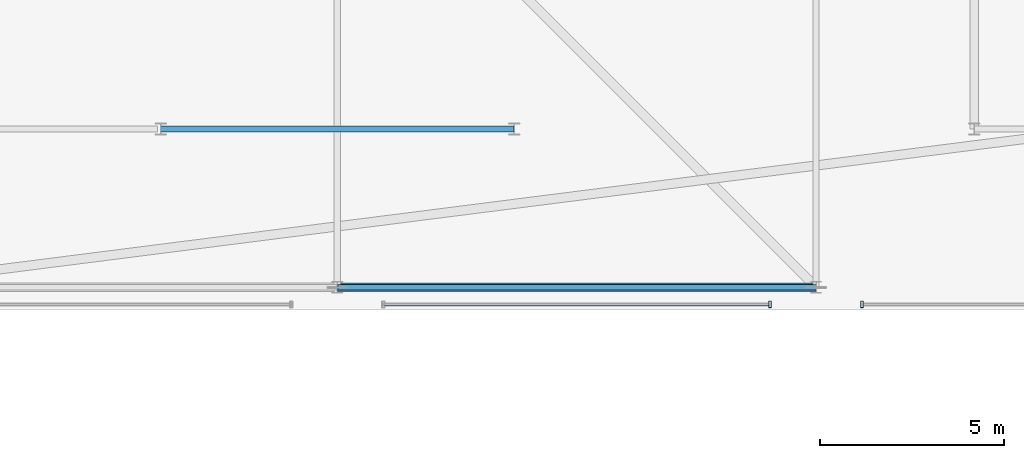
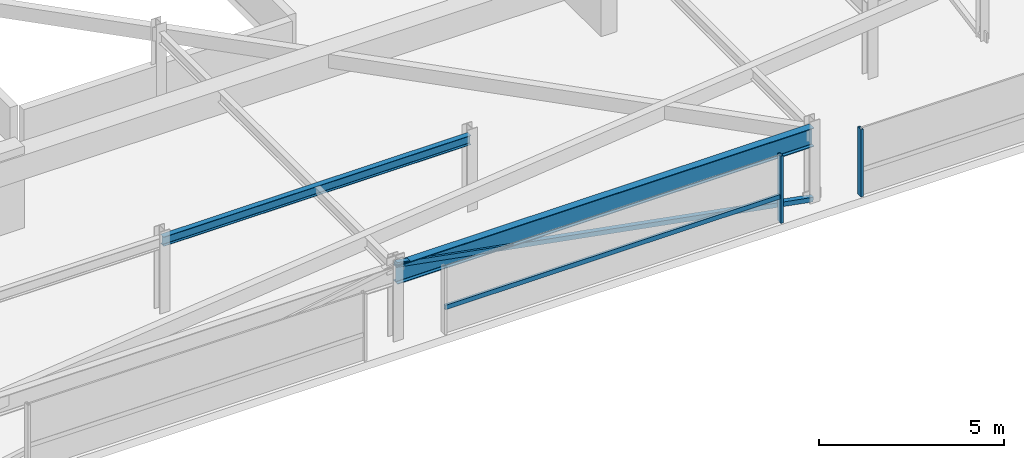
# One storey, part 31 of 44: 4 members, 2 beams, 2 elements without a shape of their own.
"""IFC4 building model written with IfcOpenShell, lengths in metres."""

from ifc_helpers import new_model, si_unit, direction, frame, origin, origin_2d, place, context, subcontext, project, spatial, hollow_rectangle, i_section, extrude, material, material_profile, profile_set, type_object, element, aggregate, save


model = new_model("IFC4")

# Units and contexts
model_context = context("Model", 3, precision=1e-05, world=origin(), true_north=direction((0.0, 1.0)))
body_context = subcontext(model_context, "Body", "Model", "MODEL_VIEW")
ifc_project = project(units=[si_unit("LENGTHUNIT", "METRE"), si_unit("AREAUNIT", "SQUARE_METRE"), si_unit("VOLUMEUNIT", "CUBIC_METRE"), si_unit("PLANEANGLEUNIT", "RADIAN"), si_unit("MASSUNIT", "GRAM", prefix="KILO")], contexts=[model_context])

# Site, building, storey
site_placement = place(None, origin())
site = spatial("IfcSite", under=ifc_project, at=site_placement, CompositionType="ELEMENT")
building_placement = place(site_placement, origin())
building = spatial("IfcBuilding", under=site, at=building_placement, Name="Thornwick Lancets Civic Towers", CompositionType="ELEMENT")
storey_placement = place(building_placement, frame((0.0, 0.0, 294.89990234375)))
storey = spatial("IfcBuildingStorey", under=building, at=storey_placement, Name="C06", CompositionType="ELEMENT", Elevation=294.89990234375)

# Beams
ifc_material_1 = material(Name="Steel S355JR", Category="steel")
ifc_material_profile_1 = material_profile(ifc_material_1, i_section(OverallWidth=0.230224609375, OverallDepth=0.6171875, WebThickness=0.01318359375, FlangeThickness=0.022216796875, FilletRadius=0.0126953125, at=origin_2d()), Name="UKB 610x229x140")
ifc_profile_set_1 = profile_set([ifc_material_profile_1], Name="Steel S355JR")
beam_type_1 = type_object("IfcBeamType", Name="BM_GIRD_610_140", PredefinedType="BEAM", material=ifc_profile_set_1)
beam_1_placement = place(storey_placement, frame((101.5, 9.699951171875, 2.131591796875), z_axis=(-1.0, 0.0, 0.0), x_axis=(0.0, -1.0, 0.0)))
element("IfcBeam", 1, at=beam_1_placement, inside=storey, type_object=beam_type_1, Name="BM-SPINE-C06-B-9-10", PredefinedType="BEAM", context=body_context, shape_type="SweptSolid", body=[
    extrude(i_section(OverallWidth=0.230224609375, OverallDepth=0.6171875, WebThickness=0.01318359375, FlangeThickness=0.022216796875, FilletRadius=0.0126953125, at=origin_2d()), origin(), (0.0, 0.0, 1.0), 13.0),
])
ifc_material_profile_2 = material_profile(ifc_material_1, i_section(OverallWidth=0.1669921875, OverallDepth=0.310302734375, WebThickness=0.0078125, FlangeThickness=0.013671875, FilletRadius=0.0087890625, at=origin_2d()), Name="UKB 305x165x54")
ifc_profile_set_2 = profile_set([ifc_material_profile_2], Name="Steel S355JR")
beam_type_2 = type_object("IfcBeamType", Name="BM_LINTEL_305_54", PredefinedType="LINTEL", material=ifc_profile_set_2)
beam_2_placement = place(storey_placement, frame((93.300048828125, 14.0, 2.284912109375), z_axis=(-1.0, 0.0, 0.0), x_axis=(0.0, -1.0, 0.0)))
element("IfcBeam", 2, at=beam_2_placement, inside=storey, type_object=beam_type_2, Name="BM-INSP-C06-B-0-2", PredefinedType="LINTEL", context=body_context, shape_type="SweptSolid", body=[
    extrude(i_section(OverallWidth=0.1669921875, OverallDepth=0.310302734375, WebThickness=0.0078125, FlangeThickness=0.013671875, FilletRadius=0.0087890625, at=origin_2d()), origin(), (0.0, 0.0, 1.0), 9.60009765625),
])

# Curtain wall, member
ifc_material_2 = material(Name="Crown ring acoustic-louvre and glazing screen wall", Category="glass")
curtain_wall_type = type_object("IfcCurtainWallType", Name="CW_SYS_07", PredefinedType="NOTDEFINED", material=ifc_material_2)
curtain_wall_1_placement = place(storey_placement, origin())
curtain_wall_1 = element("IfcCurtainWall", 3, at=curtain_wall_1_placement, inside=storey, type_object=curtain_wall_type, Name="C06 Curtain Wall CW-C06-B-E0-S2", PredefinedType="NOTDEFINED")
ifc_material_3 = material(Name="Thermally broken bronze aluminium S355", Category="steel")
ifc_material_profile_3 = material_profile(ifc_material_3, hollow_rectangle(XDim=0.074951171875, YDim=0.179931640625, WallThickness=0.006103515625, at=origin_2d()), Name="RHS 180x75x6")
ifc_profile_set_3 = profile_set([ifc_material_profile_3], Name="Thermally broken bronze aluminium S355")
member_type_1 = type_object("IfcMemberType", Name="CW_MUL_180", PredefinedType="MULLION", material=ifc_profile_set_3)
member_1_placement = place(storey_placement, frame((100.25, 9.2353515625, 0.0), z_axis=(0.0, 0.0, 1.0), x_axis=(1.0, 0.0, 0.0)))
member_1 = element("IfcMember", 4, at=member_1_placement, type_object=member_type_1, Name="CW-C06-B-E0-S2 Mullion 1", PredefinedType="MULLION", context=body_context, shape_type="SweptSolid", body=[
    extrude(hollow_rectangle(XDim=0.074951171875, YDim=0.179931640625, WallThickness=0.006103515625, at=origin_2d()), origin(), (0.0, 0.0, 1.0), 2.22021484375),
])

curtain_wall_2_placement = place(storey_placement, origin())
curtain_wall_2 = element("IfcCurtainWall", 5, at=curtain_wall_2_placement, inside=storey, type_object=curtain_wall_type, Name="C06 Curtain Wall CW-C06-B-E0-S3", PredefinedType="NOTDEFINED")
member_2_placement = place(storey_placement, frame((102.75, 9.2353515625, 0.0), z_axis=(0.0, 0.0, 1.0), x_axis=(1.0, 0.0, 0.0)))
member_2 = element("IfcMember", 6, at=member_2_placement, type_object=member_type_1, Name="CW-C06-B-E0-S3 Mullion 0", PredefinedType="MULLION", context=body_context, shape_type="SweptSolid", body=[
    extrude(hollow_rectangle(XDim=0.074951171875, YDim=0.179931640625, WallThickness=0.006103515625, at=origin_2d()), origin(), (0.0, 0.0, 1.0), 2.22021484375),
])
aggregate(curtain_wall_2, [member_2])

# Member
ifc_material_profile_4 = material_profile(ifc_material_3, hollow_rectangle(XDim=0.074951171875, YDim=0.14990234375, WallThickness=0.0048828125, at=origin_2d()), Name="RHS 150x75x5")
ifc_profile_set_4 = profile_set([ifc_material_profile_4], Name="Thermally broken bronze aluminium S355")
member_type_2 = type_object("IfcMemberType", Name="CW_TRN_150", PredefinedType="USERDEFINED", material=ifc_profile_set_4)
member_3_placement = place(storey_placement, frame((89.77001953125, 9.2353515625, 0.85009765625), z_axis=(1.0, 0.0, 0.0), x_axis=(0.0, 1.0, 0.0)))
member_3 = element("IfcMember", 7, at=member_3_placement, type_object=member_type_2, Name="CW-C06-B-E0-S2 Transom 0", ObjectType="TRANSOM", PredefinedType="USERDEFINED", context=body_context, shape_type="SweptSolid", body=[
    extrude(hollow_rectangle(XDim=0.074951171875, YDim=0.14990234375, WallThickness=0.0048828125, at=origin_2d()), origin(), (0.0, 0.0, 1.0), 10.4599609375),
])

aggregate(curtain_wall_1, [member_1, member_3])

ifc_material_profile_5 = material_profile(ifc_material_1, hollow_rectangle(XDim=0.14990234375, YDim=0.14990234375, WallThickness=0.010009765625, at=origin_2d()), Name="SHS 150x150x10")
ifc_profile_set_5 = profile_set([ifc_material_profile_5], Name="Steel S355JR")
member_type_3 = type_object("IfcMemberType", Name="MEM_CROWN_SHS150", PredefinedType="BRACE", material=ifc_profile_set_5)
member_4_placement = place(storey_placement, frame((101.5, 9.699951171875, 0.050048828125), z_axis=(-0.983515136313, 0.0, 0.180825818519), x_axis=(0.0, -1.0, 0.0)))
element("IfcMember", 8, at=member_4_placement, inside=storey, type_object=member_type_3, Name="C06 Crown Ring Lancet Rib B-S3-L", PredefinedType="BRACE", context=body_context, shape_type="SweptSolid", body=[
    extrude(hollow_rectangle(XDim=0.14990234375, YDim=0.14990234375, WallThickness=0.010009765625, at=origin_2d()), origin(), (0.0, 0.0, 1.0), 13.2177734375),
])

save(model, "model.ifc")
